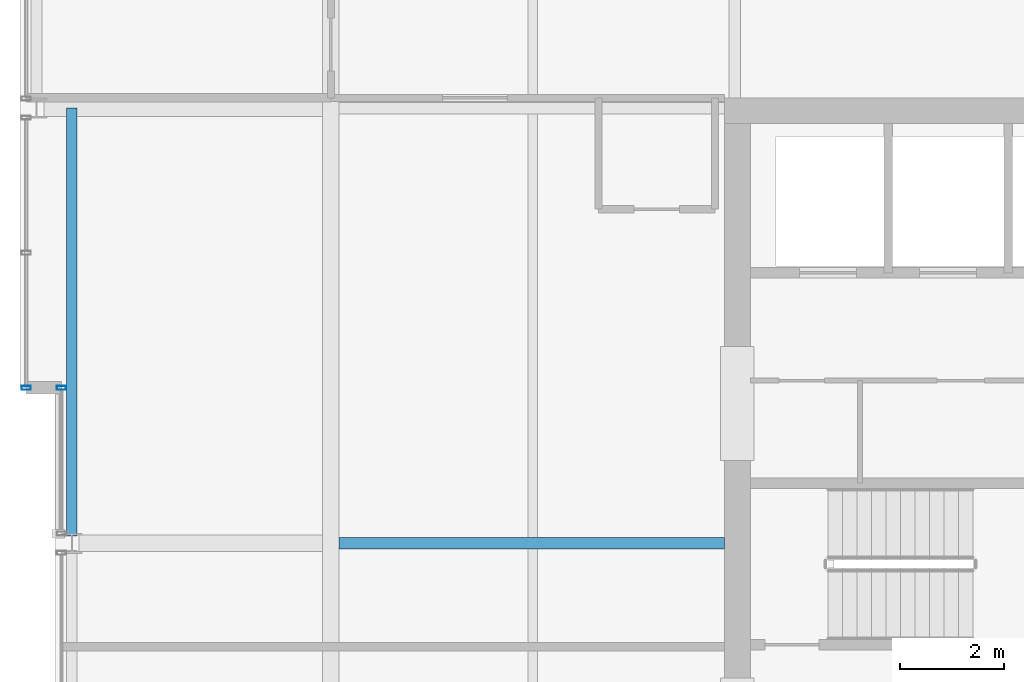
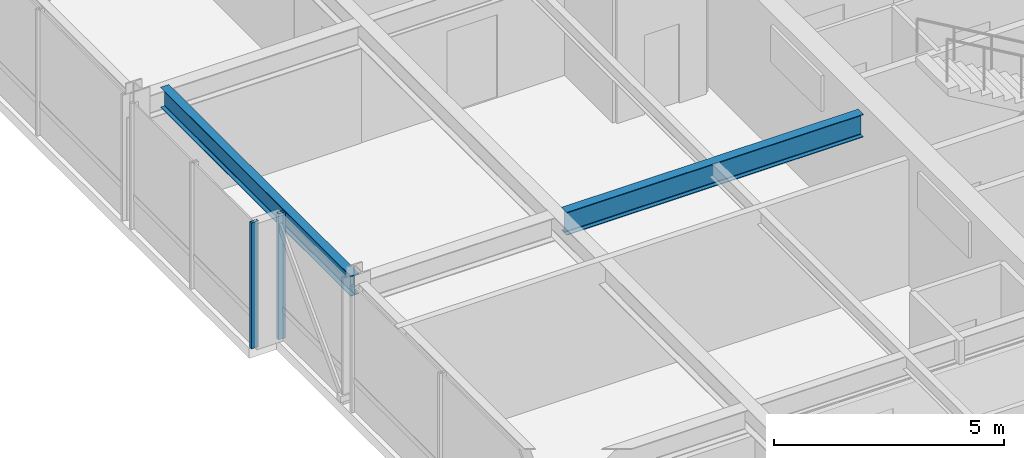
# One storey, part 10 of 31: 2 beams, 2 members, 2 elements without a shape of their own.
"""IFC4 building model written with IfcOpenShell, lengths in metres."""

from ifc_helpers import new_model, si_unit, direction, frame, origin, origin_2d, place, context, subcontext, project, spatial, hollow_rectangle, i_section, extrude, material, layer, layer_set, material_profile, profile_set, type_object, element, aggregate, save


model = new_model("IFC4")

# Units and contexts
model_context = context("Model", 3, precision=1e-05, world=origin(), true_north=direction((0.0, 1.0)))
body_context = subcontext(model_context, "Body", "Model", "MODEL_VIEW")
ifc_project = project(units=[si_unit("LENGTHUNIT", "METRE"), si_unit("AREAUNIT", "SQUARE_METRE"), si_unit("VOLUMEUNIT", "CUBIC_METRE"), si_unit("PLANEANGLEUNIT", "RADIAN"), si_unit("MASSUNIT", "GRAM", prefix="KILO")], contexts=[model_context])

# Site, building, storey
site_placement = place(None, origin())
site = spatial("IfcSite", under=ifc_project, at=site_placement, CompositionType="ELEMENT")
building_placement = place(site_placement, origin())
building = spatial("IfcBuilding", under=site, at=building_placement, Name="Drelvath Grand Hotel", CompositionType="ELEMENT")
storey_placement = place(building_placement, frame((0.0, 0.0, 219.5)))
storey = spatial("IfcBuildingStorey", under=building, at=storey_placement, Name="L57", CompositionType="ELEMENT", Elevation=219.5)

# Curtain wall, member
ifc_material_1 = material(Name="Platinum-Mist Anodised Aluminium Frame", Category="aluminium")
ifc_layer = layer(ifc_material_1, 0.199951171875)
ifc_layer_set = layer_set([ifc_layer], Name="Platinum-Mist Anodised Aluminium Frame")
curtain_wall_type = type_object("IfcCurtainWallType", Name="Stick Curtain Wall CW-05 Platinum Mist High-Rise", PredefinedType="NOTDEFINED", material=ifc_layer_set)
curtain_wall_1_placement = place(storey_placement, origin())
curtain_wall_1 = element("IfcCurtainWall", 1, at=curtain_wall_1_placement, inside=storey, type_object=curtain_wall_type, Name="L57 CW-05 Curtain Wall CW05-L57-WM2", PredefinedType="NOTDEFINED")
ifc_material_profile_1 = material_profile(ifc_material_1, hollow_rectangle(XDim=0.074951171875, YDim=0.179931640625, WallThickness=0.0048828125, at=origin_2d()), Name="HSS180X75X5")
ifc_profile_set_1 = profile_set([ifc_material_profile_1], Name="Platinum-Mist Anodised Aluminium Frame")
member_type = type_object("IfcMemberType", Name="Curtain Wall Vertical Mullion CW-05 HSS180X75X5", PredefinedType="MULLION", material=ifc_profile_set_1)
member_1_placement = place(storey_placement, frame((-21.39990234375, 30.0, 0.0), z_axis=(0.0, 0.0, 1.0), x_axis=(0.0, 1.0, 0.0)))
member_1 = element("IfcMember", 2, at=member_1_placement, type_object=member_type, Name="CW05-L57-WM2 Mullion 2", PredefinedType="MULLION", context=body_context, shape_type="SweptSolid", body=[
    extrude(hollow_rectangle(XDim=0.074951171875, YDim=0.179931640625, WallThickness=0.0048828125, at=origin_2d()), origin(), (0.0, 0.0, 1.0), 3.340087890625),
])
aggregate(curtain_wall_1, [member_1])

curtain_wall_2_placement = place(storey_placement, origin())
curtain_wall_2 = element("IfcCurtainWall", 3, at=curtain_wall_2_placement, inside=storey, type_object=curtain_wall_type, Name="L57 CW-05 Curtain Wall CW05-L57-WN1", PredefinedType="NOTDEFINED")
member_2_placement = place(storey_placement, frame((-22.080078125, 30.0, 0.0), z_axis=(0.0, 0.0, 1.0), x_axis=(0.0, 1.0, 0.0)))
member_2 = element("IfcMember", 4, at=member_2_placement, type_object=member_type, Name="CW05-L57-WN1 Mullion 1", PredefinedType="MULLION", context=body_context, shape_type="SweptSolid", body=[
    extrude(hollow_rectangle(XDim=0.074951171875, YDim=0.179931640625, WallThickness=0.0048828125, at=origin_2d()), origin(), (0.0, 0.0, 1.0), 3.340087890625),
])
aggregate(curtain_wall_2, [member_2])

# Beams
ifc_material_2 = material(Name="Steel ASTM A992 Gr 50", Category="steel")
ifc_material_profile_2 = material_profile(ifc_material_2, i_section(OverallWidth=0.210205078125, OverallDepth=0.53662109375, WebThickness=0.010986328125, FlangeThickness=0.017333984375, FilletRadius=0.01806640625, at=origin_2d()), Name="W21X68")
ifc_profile_set_2 = profile_set([ifc_material_profile_2], Name="Steel ASTM A992 Gr 50")
beam_type_1 = type_object("IfcBeamType", Name="Perimeter Spandrel Beam W21X68", PredefinedType="SPANDREL", material=ifc_profile_set_2)
beam_1_placement = place(storey_placement, frame((-21.199951171875, 27.139892578125, 3.07177734375), z_axis=(0.0, 1.0, 0.0), x_axis=(-1.0, 0.0, 0.0)))
element("IfcBeam", 5, at=beam_1_placement, inside=storey, type_object=beam_type_1, Name="L57 Spandrel West Mid N", PredefinedType="SPANDREL", context=body_context, shape_type="SweptSolid", body=[
    extrude(i_section(OverallWidth=0.210205078125, OverallDepth=0.53662109375, WebThickness=0.010986328125, FlangeThickness=0.017333984375, FilletRadius=0.01806640625, at=origin_2d()), origin(), (0.0, 0.0, 1.0), 8.260009765625),
])
ifc_material_profile_3 = material_profile(ifc_material_2, i_section(OverallWidth=0.228271484375, OverallDepth=0.607666015625, WebThickness=0.01123046875, FlangeThickness=0.017333984375, FilletRadius=0.02001953125, at=origin_2d()), Name="W24X76")
ifc_profile_set_3 = profile_set([ifc_material_profile_3], Name="Steel ASTM A992 Gr 50")
beam_type_2 = type_object("IfcBeamType", Name="Primary Floor Girder W24X76", PredefinedType="BEAM", material=ifc_profile_set_3)
beam_2_placement = place(storey_placement, frame((-16.0380859375, 27.0, 3.0361328125), z_axis=(1.0, 0.0, 0.0), x_axis=(0.0, 1.0, 0.0)))
element("IfcBeam", 6, at=beam_2_placement, inside=storey, type_object=beam_type_2, Name="L57 West Core Tie E", PredefinedType="BEAM", context=body_context, shape_type="SweptSolid", body=[
    extrude(i_section(OverallWidth=0.228271484375, OverallDepth=0.607666015625, WebThickness=0.01123046875, FlangeThickness=0.017333984375, FilletRadius=0.02001953125, at=origin_2d()), origin(), (0.0, 0.0, 1.0), 7.43798828125),
])

save(model, "model.ifc")
